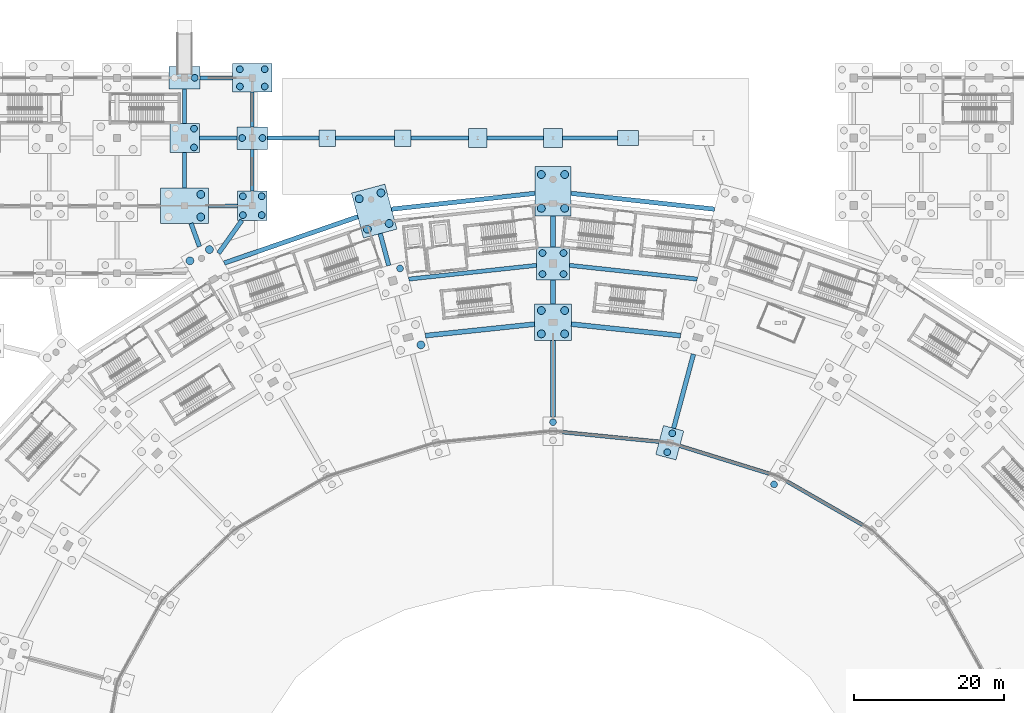
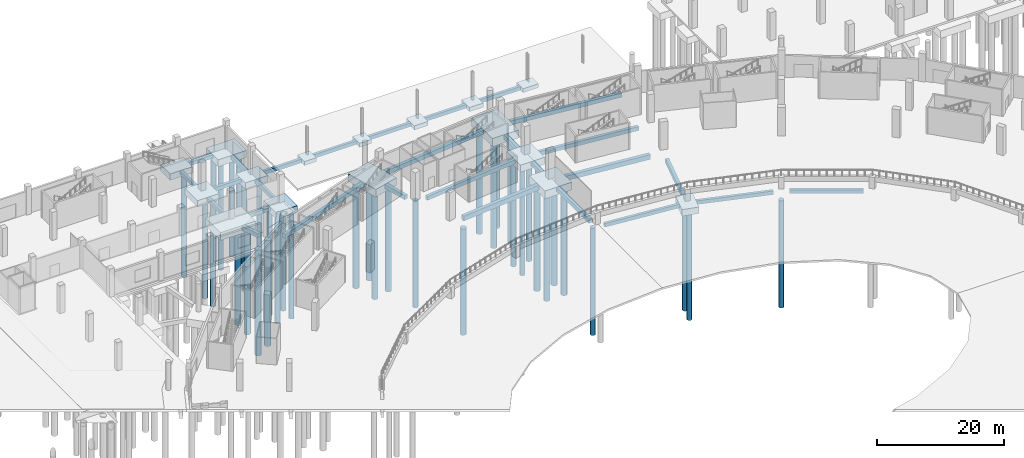
# One storey, part 12 of 103: 45 footings, 39 piles.
"""IFC4 building model written with IfcOpenShell, lengths in metres."""

from ifc_helpers import new_model, si_unit, direction, frame, origin, origin_2d, place, context, subcontext, project, spatial, rectangle, circle, extrude, material, material_profile, profile_set, type_object, element, save


model = new_model("IFC4")

# Units and contexts
model_context = context("Model", 3, precision=1e-05, world=origin(), true_north=direction((0.0, 1.0)))
body_context = subcontext(model_context, "Body", "Model", "MODEL_VIEW")
ifc_project = project(units=[si_unit("LENGTHUNIT", "METRE"), si_unit("AREAUNIT", "SQUARE_METRE"), si_unit("VOLUMEUNIT", "CUBIC_METRE"), si_unit("PLANEANGLEUNIT", "RADIAN"), si_unit("MASSUNIT", "GRAM", prefix="KILO")], contexts=[model_context])

# Site, building, storey
site_placement = place(None, origin())
site = spatial("IfcSite", under=ifc_project, at=site_placement, CompositionType="ELEMENT")
building_placement = place(site_placement, origin())
building = spatial("IfcBuilding", under=site, at=building_placement, Name="Zevraka Park Crest Stadium", CompositionType="ELEMENT")
storey_placement = place(building_placement, origin())
storey = spatial("IfcBuildingStorey", under=building, at=storey_placement, Name="L00", CompositionType="ELEMENT", Elevation=0.0)

# Footings
ifc_material_1 = material(Name="Concrete C35/45", Category="concrete")
ifc_material_profile_1 = material_profile(ifc_material_1, rectangle(XDim=0.60009765625, YDim=0.800048828125, at=origin_2d()), Name="GB 800x600")
ifc_profile_set_1 = profile_set([ifc_material_profile_1], Name="Concrete C35/45")
footing_type_1 = type_object("IfcFootingType", Name="GB01", PredefinedType="FOOTING_BEAM", material=ifc_profile_set_1)
footing_1_placement = place(storey_placement, frame((128.047119140625, 137.39892578125, -0.75), z_axis=(0.258823026795, 0.965924759389, 0.0), x_axis=(-0.965924759389, 0.258823026795, 0.0)))
element("IfcFooting", 1, at=footing_1_placement, inside=storey, type_object=footing_type_1, Name="Ground Tie Beam GB01 RAD-AB-05", PredefinedType="FOOTING_BEAM", context=body_context, shape_type="SweptSolid", body=[
    extrude(rectangle(XDim=0.60009765625, YDim=0.800048828125, at=origin_2d()), origin(), (0.0, 0.0, 1.0), 10.19970703125),
])
footing_2_placement = place(storey_placement, frame((133.472900390625, 166.533935546875, -0.75), z_axis=(-0.993981559168, 0.109547524089, 0.0), x_axis=(-0.109547524089, -0.993981559168, 0.0)))
element("IfcFooting", 2, at=footing_2_placement, inside=storey, type_object=footing_type_1, Name="Ground Tie Beam GB01 CIR-DE-05", PredefinedType="FOOTING_BEAM", context=body_context, shape_type="SweptSolid", body=[
    extrude(rectangle(XDim=0.60009765625, YDim=0.800048828125, at=origin_2d()), origin(), (0.0, 0.0, 1.0), 19.1884765625),
])
footing_3_placement = place(storey_placement, frame((112.0, 138.89990234375, -0.75), z_axis=(0.0, 1.0, 0.0), x_axis=(-1.0, 0.0, 0.0)))
element("IfcFooting", 3, at=footing_3_placement, inside=storey, type_object=footing_type_1, Name="Ground Tie Beam GB01 RAD-AB-06", PredefinedType="FOOTING_BEAM", context=body_context, shape_type="SweptSolid", body=[
    extrude(rectangle(XDim=0.60009765625, YDim=0.800048828125, at=origin_2d()), origin(), (0.0, 0.0, 1.0), 10.150146484375),
])
footing_4_placement = place(storey_placement, frame((112.0, 153.949951171875, -0.75), z_axis=(0.0, 1.0, 0.0), x_axis=(-1.0, 0.0, 0.0)))
element("IfcFooting", 4, at=footing_4_placement, inside=storey, type_object=footing_type_1, Name="Ground Tie Beam GB01 RAD-BC-06", PredefinedType="FOOTING_BEAM", context=body_context, shape_type="SweptSolid", body=[
    extrude(rectangle(XDim=0.60009765625, YDim=0.800048828125, at=origin_2d()), origin(), (0.0, 0.0, 1.0), 3.150146484375),
])
footing_5_placement = place(storey_placement, frame((112.0, 161.5, -0.75), z_axis=(0.0, 1.0, 0.0), x_axis=(-1.0, 0.0, 0.0)))
element("IfcFooting", 5, at=footing_5_placement, inside=storey, type_object=footing_type_1, Name="Ground Tie Beam GB01 RAD-CDE-06", PredefinedType="FOOTING_BEAM", context=body_context, shape_type="SweptSolid", body=[
    extrude(rectangle(XDim=0.60009765625, YDim=0.800048828125, at=origin_2d()), origin(), (0.0, 0.0, 1.0), 4.10009765625),
])
footing_6_placement = place(storey_placement, frame((109.60009765625, 168.635986328125, -0.75), z_axis=(-0.993981559168, -0.109547524089, 0.0), x_axis=(0.109547524089, -0.993981559168, 0.0)))
element("IfcFooting", 6, at=footing_6_placement, inside=storey, type_object=footing_type_1, Name="Ground Tie Beam GB01 CIR-DE-06", PredefinedType="FOOTING_BEAM", context=body_context, shape_type="SweptSolid", body=[
    extrude(rectangle(XDim=0.60009765625, YDim=0.800048828125, at=origin_2d()), origin(), (0.0, 0.0, 1.0), 19.1884765625),
])
footing_7_placement = place(storey_placement, frame((90.155029296875, 159.034912109375, -0.75), z_axis=(-0.258639929506, 0.96597380237, 0.0), x_axis=(-0.96597380237, -0.258639929506, 0.0)))
element("IfcFooting", 7, at=footing_7_placement, inside=storey, type_object=footing_type_1, Name="Ground Tie Beam GB01 RAD-CDE-07", PredefinedType="FOOTING_BEAM", context=body_context, shape_type="SweptSolid", body=[
    extrude(rectangle(XDim=0.60009765625, YDim=0.800048828125, at=origin_2d()), origin(), (0.0, 0.0, 1.0), 4.399658203125),
])
footing_8_placement = place(storey_placement, frame((86.034912109375, 165.52392578125, -0.75), z_axis=(-0.944869347259, -0.327447578417, 0.0), x_axis=(0.327447578417, -0.944869347259, 0.0)))
element("IfcFooting", 8, at=footing_8_placement, inside=storey, type_object=footing_type_1, Name="Ground Tie Beam GB01 CIR-DE-07", PredefinedType="FOOTING_BEAM", context=body_context, shape_type="SweptSolid", body=[
    extrude(rectangle(XDim=0.60009765625, YDim=0.800048828125, at=origin_2d()), origin(), (0.0, 0.0, 1.0), 18.808837890625),
])
footing_9_placement = place(storey_placement, frame((63.85302734375, 164.64990234375, -0.75), z_axis=(0.341290280374, -0.939957948273, 0.0), x_axis=(0.939957948273, 0.341290280374, 0.0)))
element("IfcFooting", 9, at=footing_9_placement, inside=storey, type_object=footing_type_1, Name="Ground Tie Beam GB01 WTIE-8-U", PredefinedType="FOOTING_BEAM", context=body_context, shape_type="SweptSolid", body=[
    extrude(rectangle(XDim=0.60009765625, YDim=0.800048828125, at=origin_2d()), origin(), (0.0, 0.0, 1.0), 3.29052734375),
])
footing_10_placement = place(storey_placement, frame((70.618896484375, 165.050048828125, -0.75), z_axis=(-0.577920286052, -0.816093219534, 0.0), x_axis=(0.816093219534, -0.577920286052, 0.0)))
element("IfcFooting", 10, at=footing_10_placement, inside=storey, type_object=footing_type_1, Name="Ground Tie Beam GB01 WTIE-9-U", PredefinedType="FOOTING_BEAM", context=body_context, shape_type="SweptSolid", body=[
    extrude(rectangle(XDim=0.60009765625, YDim=0.800048828125, at=origin_2d()), origin(), (0.0, 0.0, 1.0), 5.374267578125),
])
ifc_material_2 = material(Name="Concrete C35/45", Category="concrete")
ifc_material_profile_2 = material_profile(ifc_material_2, rectangle(XDim=0.5, YDim=0.699951171875, at=origin_2d()), Name="GB 700x500")
ifc_profile_set_2 = profile_set([ifc_material_profile_2], Name="Concrete C35/45")
footing_type_2 = type_object("IfcFootingType", Name="GB02", PredefinedType="FOOTING_BEAM", material=ifc_profile_set_2)
footing_11_placement = place(storey_placement, frame((153.1689453125, 124.54296875, -0.699951171875), z_axis=(-0.866686781199, 0.498852707014, 0.0), x_axis=(-0.498852707014, -0.866686781199, 0.0)))
element("IfcFooting", 11, at=footing_11_placement, inside=storey, type_object=footing_type_2, Name="Ground Tie Beam GB02 CIR-A-03", PredefinedType="FOOTING_BEAM", context=body_context, shape_type="SweptSolid", body=[
    extrude(rectangle(XDim=0.5, YDim=0.699951171875, at=origin_2d()), origin(), (0.0, 0.0, 1.0), 11.586669921875),
])
footing_12_placement = place(storey_placement, frame((140.72705078125, 131.365966796875, -0.699951171875), z_axis=(-0.954965260776, 0.296717627908, 0.0), x_axis=(-0.296717627908, -0.954965260776, 0.0)))
element("IfcFooting", 12, at=footing_12_placement, inside=storey, type_object=footing_type_2, Name="Ground Tie Beam GB02 CIR-A-04", PredefinedType="FOOTING_BEAM", context=body_context, shape_type="SweptSolid", body=[
    extrude(rectangle(XDim=0.5, YDim=0.699951171875, at=origin_2d()), origin(), (0.0, 0.0, 1.0), 12.41943359375),
])
footing_13_placement = place(storey_placement, frame((126.116943359375, 135.60595703125, -0.699951171875), z_axis=(-0.99515621208, 0.098306223396, 0.0), x_axis=(-0.098306223396, -0.99515621208, 0.0)))
element("IfcFooting", 13, at=footing_13_placement, inside=storey, type_object=footing_type_2, Name="Ground Tie Beam GB02 CIR-A-05", PredefinedType="FOOTING_BEAM", context=body_context, shape_type="SweptSolid", body=[
    extrude(rectangle(XDim=0.5, YDim=0.699951171875, at=origin_2d()), origin(), (0.0, 0.0, 1.0), 12.87939453125),
])
footing_14_placement = place(storey_placement, frame((66.199951171875, 167.0, -0.699951171875), z_axis=(1.0, 0.0, 0.0), x_axis=(0.0, 1.0, 0.0)))
element("IfcFooting", 14, at=footing_14_placement, inside=storey, type_object=footing_type_2, Name="Ground Tie Beam GB02 WX-8-U", PredefinedType="FOOTING_BEAM", context=body_context, shape_type="SweptSolid", body=[
    extrude(rectangle(XDim=0.5, YDim=0.699951171875, at=origin_2d()), origin(), (0.0, 0.0, 1.0), 3.85009765625),
])
footing_15_placement = place(storey_placement, frame((63.0, 169.35009765625, -0.699951171875), z_axis=(0.0, 1.0, 0.0), x_axis=(-1.0, 0.0, 0.0)))
element("IfcFooting", 15, at=footing_15_placement, inside=storey, type_object=footing_type_2, Name="Ground Tie Beam GB02 WY-8-U", PredefinedType="FOOTING_BEAM", context=body_context, shape_type="SweptSolid", body=[
    extrude(rectangle(XDim=0.5, YDim=0.699951171875, at=origin_2d()), origin(), (0.0, 0.0, 1.0), 4.699951171875),
])
footing_16_placement = place(storey_placement, frame((64.949951171875, 176.0, -0.699951171875), z_axis=(1.0, 0.0, 0.0), x_axis=(0.0, 1.0, 0.0)))
element("IfcFooting", 16, at=footing_16_placement, inside=storey, type_object=footing_type_2, Name="Ground Tie Beam GB02 WX-8-V", PredefinedType="FOOTING_BEAM", context=body_context, shape_type="SweptSolid", body=[
    extrude(rectangle(XDim=0.5, YDim=0.699951171875, at=origin_2d()), origin(), (0.0, 0.0, 1.0), 5.0),
])
footing_17_placement = place(storey_placement, frame((63.0, 177.949951171875, -0.699951171875), z_axis=(0.0, 1.0, 0.0), x_axis=(-1.0, 0.0, 0.0)))
element("IfcFooting", 17, at=footing_17_placement, inside=storey, type_object=footing_type_2, Name="Ground Tie Beam GB02 WY-8-V", PredefinedType="FOOTING_BEAM", context=body_context, shape_type="SweptSolid", body=[
    extrude(rectangle(XDim=0.5, YDim=0.699951171875, at=origin_2d()), origin(), (0.0, 0.0, 1.0), 4.550048828125),
])
footing_18_placement = place(storey_placement, frame((65.050048828125, 184.0, -0.699951171875), z_axis=(1.0, 0.0, 0.0), x_axis=(0.0, 1.0, 0.0)))
element("IfcFooting", 18, at=footing_18_placement, inside=storey, type_object=footing_type_2, Name="Ground Tie Beam GB02 WX-8-W", PredefinedType="FOOTING_BEAM", context=body_context, shape_type="SweptSolid", body=[
    extrude(rectangle(XDim=0.5, YDim=0.699951171875, at=origin_2d()), origin(), (0.0, 0.0, 1.0), 4.349853515625),
])
footing_19_placement = place(storey_placement, frame((72.0, 168.949951171875, -0.699951171875), z_axis=(0.0, 1.0, 0.0), x_axis=(-1.0, 0.0, 0.0)))
element("IfcFooting", 19, at=footing_19_placement, inside=storey, type_object=footing_type_2, Name="Ground Tie Beam GB02 WY-9-U", PredefinedType="FOOTING_BEAM", context=body_context, shape_type="SweptSolid", body=[
    extrude(rectangle(XDim=0.5, YDim=0.699951171875, at=origin_2d()), origin(), (0.0, 0.0, 1.0), 5.550048828125),
])
footing_20_placement = place(storey_placement, frame((72.0, 177.5, -0.699951171875), z_axis=(0.0, 1.0, 0.0), x_axis=(-1.0, 0.0, 0.0)))
element("IfcFooting", 20, at=footing_20_placement, inside=storey, type_object=footing_type_2, Name="Ground Tie Beam GB02 WY-9-V", PredefinedType="FOOTING_BEAM", context=body_context, shape_type="SweptSolid", body=[
    extrude(rectangle(XDim=0.5, YDim=0.699951171875, at=origin_2d()), origin(), (0.0, 0.0, 1.0), 4.60009765625),
])
footing_21_placement = place(storey_placement, frame((83.10009765625, 176.0, -0.699951171875), z_axis=(1.0, 0.0, 0.0), x_axis=(0.0, 1.0, 0.0)))
element("IfcFooting", 21, at=footing_21_placement, inside=storey, type_object=footing_type_2, Name="Ground Tie Beam GB02 PADN-1", PredefinedType="FOOTING_BEAM", context=body_context, shape_type="SweptSolid", body=[
    extrude(rectangle(XDim=0.5, YDim=0.699951171875, at=origin_2d()), origin(), (0.0, 0.0, 1.0), 7.7998046875),
])
footing_22_placement = place(storey_placement, frame((93.10009765625, 176.0, -0.699951171875), z_axis=(1.0, 0.0, 0.0), x_axis=(0.0, 1.0, 0.0)))
element("IfcFooting", 22, at=footing_22_placement, inside=storey, type_object=footing_type_2, Name="Ground Tie Beam GB02 PADN-2", PredefinedType="FOOTING_BEAM", context=body_context, shape_type="SweptSolid", body=[
    extrude(rectangle(XDim=0.5, YDim=0.699951171875, at=origin_2d()), origin(), (0.0, 0.0, 1.0), 7.64990234375),
])
footing_23_placement = place(storey_placement, frame((103.25, 176.0, -0.699951171875), z_axis=(1.0, 0.0, 0.0), x_axis=(0.0, 1.0, 0.0)))
element("IfcFooting", 23, at=footing_23_placement, inside=storey, type_object=footing_type_2, Name="Ground Tie Beam GB02 PADN-3", PredefinedType="FOOTING_BEAM", context=body_context, shape_type="SweptSolid", body=[
    extrude(rectangle(XDim=0.5, YDim=0.699951171875, at=origin_2d()), origin(), (0.0, 0.0, 1.0), 7.5),
])
footing_24_placement = place(storey_placement, frame((113.25, 176.0, -0.699951171875), z_axis=(1.0, 0.0, 0.0), x_axis=(0.0, 1.0, 0.0)))
element("IfcFooting", 24, at=footing_24_placement, inside=storey, type_object=footing_type_2, Name="Ground Tie Beam GB02 PADN-4", PredefinedType="FOOTING_BEAM", context=body_context, shape_type="SweptSolid", body=[
    extrude(rectangle(XDim=0.5, YDim=0.699951171875, at=origin_2d()), origin(), (0.0, 0.0, 1.0), 7.35009765625),
])
footing_25_placement = place(storey_placement, frame((74.050048828125, 176.0, -0.699951171875), z_axis=(1.0, 0.0, 0.0), x_axis=(0.0, 1.0, 0.0)))
element("IfcFooting", 25, at=footing_25_placement, inside=storey, type_object=footing_type_2, Name="Ground Tie Beam GB02 PADN-W", PredefinedType="FOOTING_BEAM", context=body_context, shape_type="SweptSolid", body=[
    extrude(rectangle(XDim=0.5, YDim=0.699951171875, at=origin_2d()), origin(), (0.0, 0.0, 1.0), 6.849853515625),
])
ifc_material_3 = material(Name="Concrete C35/45", Category="concrete")
ifc_material_profile_3 = material_profile(ifc_material_3, rectangle(XDim=0.64990234375, YDim=0.89990234375, at=origin_2d()), Name="GB 900x650")
ifc_profile_set_3 = profile_set([ifc_material_profile_3], Name="Concrete C35/45")
footing_type_3 = type_object("IfcFootingType", Name="GB03", PredefinedType="FOOTING_BEAM", material=ifc_profile_set_3)
for number, where, z_axis, x_axis, name in (
    (26, (128.966064453125, 149.716064453125, -0.800048828125), (-0.994520656605, 0.104540248642, 0.0), (-0.104540248642, -0.994520656605, 0.0), "Ground Tie Beam GB03 CIR-B-05"),
    (27, (109.550048828125, 151.241943359375, -0.800048828125), (-0.994520656605, -0.104540248642, 0.0), (0.104540248642, -0.994520656605, 0.0), "Ground Tie Beam GB03 CIR-B-06"),
):
    element("IfcFooting", number, at=place(storey_placement, frame(where, z_axis=z_axis, x_axis=x_axis)), inside=storey, type_object=footing_type_3, Name=name, PredefinedType="FOOTING_BEAM", context=body_context, shape_type="SweptSolid", body=[
        extrude(rectangle(XDim=0.64990234375, YDim=0.89990234375, at=origin_2d()), origin(), (0.0, 0.0, 1.0), 14.59619140625),
    ])
ifc_material_4 = material(Name="Concrete C35/45", Category="concrete")
ifc_material_profile_4 = material_profile(ifc_material_4, rectangle(XDim=0.550048828125, YDim=0.75, at=origin_2d()), Name="GB 750x550")
ifc_profile_set_4 = profile_set([ifc_material_profile_4], Name="Concrete C35/45")
footing_type_4 = type_object("IfcFootingType", Name="GB04", PredefinedType="FOOTING_BEAM", material=ifc_profile_set_4)
for number, where, z_axis, x_axis, name in (
    (28, (131.18798828125, 157.23388671875, -0.72509765625), (-0.994253503641, 0.107051251732, 0.0), (-0.107051251732, -0.994253503641, 0.0), "Ground Tie Beam GB04 CIR-C-05"),
    (29, (109.800048828125, 159.06298828125, -0.72509765625), (-0.994253503641, -0.107051251732, 0.0), (0.107051251732, -0.994253503641, 0.0), "Ground Tie Beam GB04 CIR-C-06"),
):
    element("IfcFooting", number, at=place(storey_placement, frame(where, z_axis=z_axis, x_axis=x_axis)), inside=storey, type_object=footing_type_4, Name=name, PredefinedType="FOOTING_BEAM", context=body_context, shape_type="SweptSolid", body=[
        extrude(rectangle(XDim=0.550048828125, YDim=0.75, at=origin_2d()), origin(), (0.0, 0.0, 1.0), 17.086181640625),
    ])
ifc_material_5 = material(Name="Concrete C35/45", Category="concrete")
footing_type_5 = type_object("IfcFootingType", Name="PC02", PredefinedType="PILE_CAP", material=ifc_material_5)
footing_26_placement = place(storey_placement, frame((127.529052734375, 135.467041015625, -1.60009765625), z_axis=(0.0, 0.0, 1.0), x_axis=(0.258819045103, 0.965925826289, 0.0)))
element("IfcFooting", 30, at=footing_26_placement, inside=storey, type_object=footing_type_5, Name="Foundation PC02 A-05", PredefinedType="PILE_CAP", context=body_context, shape_type="SweptSolid", body=[
    extrude(rectangle(XDim=4.0, YDim=2.800048828125, at=origin_2d()), origin(), (0.0, 0.0, 1.0), 1.25),
])
ifc_material_6 = material(Name="Concrete C35/45", Category="concrete")
footing_type_6 = type_object("IfcFootingType", Name="PC04", PredefinedType="PILE_CAP", material=ifc_material_6)
footing_27_placement = place(storey_placement, frame((112.0, 151.5, -1.85009765625), z_axis=(0.0, 0.0, 1.0), x_axis=(0.0, 1.0, 0.0)))
element("IfcFooting", 31, at=footing_27_placement, inside=storey, type_object=footing_type_6, Name="Foundation PC04 B-06", PredefinedType="PILE_CAP", context=body_context, shape_type="SweptSolid", body=[
    extrude(rectangle(XDim=4.89990234375, YDim=4.89990234375, at=origin_2d()), origin(), (0.0, 0.0, 1.0), 1.5),
])
ifc_material_7 = material(Name="Concrete C35/45", Category="concrete")
footing_type_7 = type_object("IfcFootingType", Name="PC06", PredefinedType="PILE_CAP", material=ifc_material_7)
footing_28_placement = place(storey_placement, frame((112.0, 159.300048828125, -1.699951171875), z_axis=(0.0, 0.0, 1.0), x_axis=(0.0, 1.0, 0.0)))
element("IfcFooting", 32, at=footing_28_placement, inside=storey, type_object=footing_type_7, Name="Foundation PC06 C-06", PredefinedType="PILE_CAP", context=body_context, shape_type="SweptSolid", body=[
    extrude(rectangle(XDim=4.39990234375, YDim=4.39990234375, at=origin_2d()), origin(), (0.0, 0.0, 1.0), 1.35009765625),
])
ifc_material_8 = material(Name="Concrete C35/45", Category="concrete")
footing_type_8 = type_object("IfcFootingType", Name="PC07", PredefinedType="PILE_CAP", material=ifc_material_8)
footing_29_placement = place(storey_placement, frame((88.214111328125, 166.279052734375, -1.7998046875), z_axis=(0.0, 0.0, 1.0), x_axis=(-0.258819045103, 0.965925826289, 0.0)))
element("IfcFooting", 33, at=footing_29_placement, inside=storey, type_object=footing_type_8, Name="Foundation PC07 DE-07", PredefinedType="PILE_CAP", context=body_context, shape_type="SweptSolid", body=[
    extrude(rectangle(XDim=6.199951171875, YDim=4.60009765625, at=origin_2d()), origin(), (0.0, 0.0, 1.0), 1.449951171875),
])
ifc_material_9 = material(Name="Concrete C35/45", Category="concrete")
footing_type_9 = type_object("IfcFootingType", Name="PC08", PredefinedType="PILE_CAP", material=ifc_material_9)
footing_30_placement = place(storey_placement, frame((112.0, 168.89990234375, -1.89990234375), z_axis=(0.0, 0.0, 1.0), x_axis=(0.0, 1.0, 0.0)))
element("IfcFooting", 34, at=footing_30_placement, inside=storey, type_object=footing_type_9, Name="Foundation PC08 DE-06", PredefinedType="PILE_CAP", context=body_context, shape_type="SweptSolid", body=[
    extrude(rectangle(XDim=6.60009765625, YDim=4.800048828125, at=origin_2d()), origin(), (0.0, 0.0, 1.0), 1.550048828125),
])
ifc_material_10 = material(Name="Concrete C35/45", Category="concrete")
footing_type_10 = type_object("IfcFootingType", Name="PC09", PredefinedType="PILE_CAP", material=ifc_material_10)
for number, where, z_axis, x_axis, name in (
    (35, (63.0, 176.0, -1.60009765625), (0.0, 0.0, 1.0), (1.0, 0.0, 0.0), "Foundation PC09 W-8-V"),
    (36, (72.0, 167.0, -1.60009765625), (0.0, 0.0, 1.0), (1.0, 0.0, 0.0), "Foundation PC09 W-9-U"),
):
    element("IfcFooting", number, at=place(storey_placement, frame(where, z_axis=z_axis, x_axis=x_axis)), inside=storey, type_object=footing_type_10, Name=name, PredefinedType="PILE_CAP", context=body_context, shape_type="SweptSolid", body=[
        extrude(rectangle(XDim=3.89990234375, YDim=3.89990234375, at=origin_2d()), origin(), (0.0, 0.0, 1.0), 1.25),
    ])
ifc_material_11 = material(Name="Concrete C35/45", Category="concrete")
footing_type_11 = type_object("IfcFootingType", Name="PC10", PredefinedType="PILE_CAP", material=ifc_material_11)
for number, where, z_axis, x_axis, name in (
    (37, (63.0, 184.0, -1.5498046875), (0.0, 0.0, 1.0), (1.0, 0.0, 0.0), "Foundation PC10 W-8-W"),
    (38, (72.0, 176.0, -1.5498046875), (0.0, 0.0, 1.0), (1.0, 0.0, 0.0), "Foundation PC10 W-9-V"),
):
    element("IfcFooting", number, at=place(storey_placement, frame(where, z_axis=z_axis, x_axis=x_axis)), inside=storey, type_object=footing_type_11, Name=name, PredefinedType="PILE_CAP", context=body_context, shape_type="SweptSolid", body=[
        extrude(rectangle(XDim=4.10009765625, YDim=3.0, at=origin_2d()), origin(), (0.0, 0.0, 1.0), 1.199951171875),
    ])
ifc_material_12 = material(Name="Concrete C35/45", Category="concrete")
footing_type_12 = type_object("IfcFootingType", Name="PC11", PredefinedType="PILE_CAP", material=ifc_material_12)
footing_31_placement = place(storey_placement, frame((72.0, 184.0, -1.699951171875), z_axis=(0.0, 0.0, 1.0), x_axis=(1.0, 0.0, 0.0)))
element("IfcFooting", 39, at=footing_31_placement, inside=storey, type_object=footing_type_12, Name="Foundation PC11 W-9-W", PredefinedType="PILE_CAP", context=body_context, shape_type="SweptSolid", body=[
    extrude(rectangle(XDim=5.199951171875, YDim=3.800048828125, at=origin_2d()), origin(), (0.0, 0.0, 1.0), 1.35009765625),
])
ifc_material_13 = material(Name="Concrete C35/45", Category="concrete")
footing_type_13 = type_object("IfcFootingType", Name="PC24", PredefinedType="PILE_CAP", material=ifc_material_13)
footing_32_placement = place(storey_placement, frame((63.0, 167.0, -1.8701171875), z_axis=(0.0, 0.0, 1.0), x_axis=(1.0, 0.0, 0.0)))
element("IfcFooting", 40, at=footing_32_placement, inside=storey, type_object=footing_type_13, Name="Foundation PC24 W-8-U", PredefinedType="PILE_CAP", context=body_context, shape_type="SweptSolid", body=[
    extrude(rectangle(XDim=6.39990234375, YDim=4.699951171875, at=origin_2d()), origin(), (0.0, 0.0, 1.0), 1.52001953125),
])
ifc_material_14 = material(Name="Concrete C35/45", Category="concrete")
footing_type_14 = type_object("IfcFootingType", Name="PF01", PredefinedType="PAD_FOOTING", material=ifc_material_14)
for number, where, z_axis, x_axis, name in (
    (41, (82.0, 176.0, -1.10009765625), (0.0, 0.0, 1.0), (1.0, 0.0, 0.0), "Foundation PF01 PAD-N1"),
    (42, (92.0, 176.0, -1.10009765625), (0.0, 0.0, 1.0), (1.0, 0.0, 0.0), "Foundation PF01 PAD-N2"),
):
    element("IfcFooting", number, at=place(storey_placement, frame(where, z_axis=z_axis, x_axis=x_axis)), inside=storey, type_object=footing_type_14, Name=name, PredefinedType="PAD_FOOTING", context=body_context, shape_type="SweptSolid", body=[
        extrude(rectangle(XDim=2.199951171875, YDim=2.199951171875, at=origin_2d()), origin(), (0.0, 0.0, 1.0), 0.75),
    ])
ifc_material_15 = material(Name="Concrete C35/45", Category="concrete")
footing_type_15 = type_object("IfcFootingType", Name="PF02", PredefinedType="PAD_FOOTING", material=ifc_material_15)
for number, where, z_axis, x_axis, name in (
    (43, (102.0, 176.0, -1.14990234375), (0.0, 0.0, 1.0), (1.0, 0.0, 0.0), "Foundation PF02 PAD-N3"),
    (44, (112.0, 176.0, -1.14990234375), (0.0, 0.0, 1.0), (1.0, 0.0, 0.0), "Foundation PF02 PAD-N4"),
):
    element("IfcFooting", number, at=place(storey_placement, frame(where, z_axis=z_axis, x_axis=x_axis)), inside=storey, type_object=footing_type_15, Name=name, PredefinedType="PAD_FOOTING", context=body_context, shape_type="SweptSolid", body=[
        extrude(rectangle(XDim=2.5, YDim=2.5, at=origin_2d()), origin(), (0.0, 0.0, 1.0), 0.800048828125),
    ])
ifc_material_16 = material(Name="Concrete C35/45", Category="concrete")
footing_type_16 = type_object("IfcFootingType", Name="PF03", PredefinedType="PAD_FOOTING", material=ifc_material_16)
footing_33_placement = place(storey_placement, frame((122.0, 176.0, -1.10009765625), z_axis=(0.0, 0.0, 1.0), x_axis=(1.0, 0.0, 0.0)))
element("IfcFooting", 45, at=footing_33_placement, inside=storey, type_object=footing_type_16, Name="Foundation PF03 PAD-N5", PredefinedType="PAD_FOOTING", context=body_context, shape_type="SweptSolid", body=[
    extrude(rectangle(XDim=2.800048828125, YDim=2.0, at=origin_2d()), origin(), (0.0, 0.0, 1.0), 0.75),
])

# Piles
ifc_material_17 = material(Name="Concrete C35/45", Category="concrete")
ifc_material_profile_5 = material_profile(ifc_material_17, circle(Radius=0.449951171875, at=origin_2d()), Name="PILE D900")
ifc_profile_set_5 = profile_set([ifc_material_profile_5], Name="Concrete C35/45")
pile_type_1 = type_object("IfcPileType", Name="PL01", PredefinedType="BORED", material=ifc_profile_set_5)
pile_1_placement = place(storey_placement, frame((141.39990234375, 129.931884765625, -1.449951171875), z_axis=(0.0, 0.0, -1.0), x_axis=(1.0, 0.0, 0.0)))
element("IfcPile", 46, at=pile_1_placement, inside=storey, type_object=pile_type_1, Name="Bored Pile PL01 A-04-1", PredefinedType="BORED", context=body_context, shape_type="SweptSolid", body=[
    extrude(circle(Radius=0.449951171875, at=origin_2d()), origin(), (0.0, 0.0, 1.0), 20.550048828125),
])
for number, where, z_axis, x_axis, name in (
    (47, (127.193115234375, 134.2109375, -1.5), (0.0, 0.0, -1.0), (1.0, 0.0, 0.0), "Bored Pile PL01 A-05-1"),
    (48, (127.864990234375, 136.722900390625, -1.5), (0.0, 0.0, -1.0), (1.0, 0.0, 0.0), "Bored Pile PL01 A-05-2"),
):
    element("IfcPile", number, at=place(storey_placement, frame(where, z_axis=z_axis, x_axis=x_axis)), inside=storey, type_object=pile_type_1, Name=name, PredefinedType="BORED", context=body_context, shape_type="SweptSolid", body=[
        extrude(circle(Radius=0.449951171875, at=origin_2d()), origin(), (0.0, 0.0, 1.0), 20.5),
    ])
pile_2_placement = place(storey_placement, frame((112.0, 138.199951171875, -1.449951171875), z_axis=(0.0, 0.0, -1.0), x_axis=(1.0, 0.0, 0.0)))
element("IfcPile", 49, at=pile_2_placement, inside=storey, type_object=pile_type_1, Name="Bored Pile PL01 A-06-2", PredefinedType="BORED", context=body_context, shape_type="SweptSolid", body=[
    extrude(circle(Radius=0.449951171875, at=origin_2d()), origin(), (0.0, 0.0, 1.0), 20.550048828125),
])
for number, where, z_axis, x_axis, name in (
    (50, (113.39990234375, 157.89990234375, -1.60009765625), (0.0, 0.0, -1.0), (1.0, 0.0, 0.0), "Bored Pile PL01 C-06-1"),
    (51, (113.39990234375, 160.699951171875, -1.60009765625), (0.0, 0.0, -1.0), (1.0, 0.0, 0.0), "Bored Pile PL01 C-06-2"),
    (52, (110.60009765625, 157.89990234375, -1.60009765625), (0.0, 0.0, -1.0), (1.0, 0.0, 0.0), "Bored Pile PL01 C-06-3"),
    (53, (110.60009765625, 160.699951171875, -1.60009765625), (0.0, 0.0, -1.0), (1.0, 0.0, 0.0), "Bored Pile PL01 C-06-4"),
):
    element("IfcPile", number, at=place(storey_placement, frame(where, z_axis=z_axis, x_axis=x_axis)), inside=storey, type_object=pile_type_1, Name=name, PredefinedType="BORED", context=body_context, shape_type="SweptSolid", body=[
        extrude(circle(Radius=0.449951171875, at=origin_2d()), origin(), (0.0, 0.0, 1.0), 20.39990234375),
    ])
pile_3_placement = place(storey_placement, frame((91.654052734375, 158.659912109375, -1.550048828125), z_axis=(0.0, 0.0, -1.0), x_axis=(1.0, 0.0, 0.0)))
element("IfcPile", 54, at=pile_3_placement, inside=storey, type_object=pile_type_1, Name="Bored Pile PL01 C-07-2", PredefinedType="BORED", context=body_context, shape_type="SweptSolid", body=[
    extrude(circle(Radius=0.449951171875, at=origin_2d()), origin(), (0.0, 0.0, 1.0), 20.449951171875),
])
for number, where, z_axis, x_axis, name in (
    (55, (64.25, 174.75, -1.5), (0.0, 0.0, -1.0), (1.0, 0.0, 0.0), "Bored Pile PL01 W-8-V-2"),
    (56, (64.25, 177.25, -1.5), (0.0, 0.0, -1.0), (1.0, 0.0, 0.0), "Bored Pile PL01 W-8-V-4"),
):
    element("IfcPile", number, at=place(storey_placement, frame(where, z_axis=z_axis, x_axis=x_axis)), inside=storey, type_object=pile_type_1, Name=name, PredefinedType="BORED", context=body_context, shape_type="SweptSolid", body=[
        extrude(circle(Radius=0.449951171875, at=origin_2d()), origin(), (0.0, 0.0, 1.0), 20.5),
    ])
pile_4_placement = place(storey_placement, frame((64.35009765625, 184.0, -1.449951171875), z_axis=(0.0, 0.0, -1.0), x_axis=(1.0, 0.0, 0.0)))
element("IfcPile", 57, at=pile_4_placement, inside=storey, type_object=pile_type_1, Name="Bored Pile PL01 W-8-W-2", PredefinedType="BORED", context=body_context, shape_type="SweptSolid", body=[
    extrude(circle(Radius=0.449951171875, at=origin_2d()), origin(), (0.0, 0.0, 1.0), 20.550048828125),
])
for number, where, z_axis, x_axis, name in (
    (58, (70.75, 165.75, -1.5), (0.0, 0.0, -1.0), (1.0, 0.0, 0.0), "Bored Pile PL01 W-9-U-1"),
    (59, (73.25, 165.75, -1.5), (0.0, 0.0, -1.0), (1.0, 0.0, 0.0), "Bored Pile PL01 W-9-U-2"),
    (60, (70.75, 168.25, -1.5), (0.0, 0.0, -1.0), (1.0, 0.0, 0.0), "Bored Pile PL01 W-9-U-3"),
    (61, (73.25, 168.25, -1.5), (0.0, 0.0, -1.0), (1.0, 0.0, 0.0), "Bored Pile PL01 W-9-U-4"),
):
    element("IfcPile", number, at=place(storey_placement, frame(where, z_axis=z_axis, x_axis=x_axis)), inside=storey, type_object=pile_type_1, Name=name, PredefinedType="BORED", context=body_context, shape_type="SweptSolid", body=[
        extrude(circle(Radius=0.449951171875, at=origin_2d()), origin(), (0.0, 0.0, 1.0), 20.5),
    ])
for number, where, z_axis, x_axis, name in (
    (62, (70.64990234375, 176.0, -1.449951171875), (0.0, 0.0, -1.0), (1.0, 0.0, 0.0), "Bored Pile PL01 W-9-V-1"),
    (63, (73.35009765625, 176.0, -1.449951171875), (0.0, 0.0, -1.0), (1.0, 0.0, 0.0), "Bored Pile PL01 W-9-V-2"),
):
    element("IfcPile", number, at=place(storey_placement, frame(where, z_axis=z_axis, x_axis=x_axis)), inside=storey, type_object=pile_type_1, Name=name, PredefinedType="BORED", context=body_context, shape_type="SweptSolid", body=[
        extrude(circle(Radius=0.449951171875, at=origin_2d()), origin(), (0.0, 0.0, 1.0), 20.550048828125),
    ])
for number, where, z_axis, x_axis, name in (
    (64, (70.35009765625, 182.85009765625, -1.60009765625), (0.0, 0.0, -1.0), (1.0, 0.0, 0.0), "Bored Pile PL01 W-9-W-1"),
    (65, (73.64990234375, 182.85009765625, -1.60009765625), (0.0, 0.0, -1.0), (1.0, 0.0, 0.0), "Bored Pile PL01 W-9-W-2"),
    (66, (70.35009765625, 185.14990234375, -1.60009765625), (0.0, 0.0, -1.0), (1.0, 0.0, 0.0), "Bored Pile PL01 W-9-W-3"),
    (67, (73.64990234375, 185.14990234375, -1.60009765625), (0.0, 0.0, -1.0), (1.0, 0.0, 0.0), "Bored Pile PL01 W-9-W-4"),
):
    element("IfcPile", number, at=place(storey_placement, frame(where, z_axis=z_axis, x_axis=x_axis)), inside=storey, type_object=pile_type_1, Name=name, PredefinedType="BORED", context=body_context, shape_type="SweptSolid", body=[
        extrude(circle(Radius=0.449951171875, at=origin_2d()), origin(), (0.0, 0.0, 1.0), 20.39990234375),
    ])
ifc_material_18 = material(Name="Concrete C35/45", Category="concrete")
ifc_material_profile_6 = material_profile(ifc_material_18, circle(Radius=0.52490234375, at=origin_2d()), Name="PILE D1050")
ifc_profile_set_6 = profile_set([ifc_material_profile_6], Name="Concrete C35/45")
pile_type_2 = type_object("IfcPileType", Name="PL02", PredefinedType="BORED", material=ifc_profile_set_6)
for number, where, z_axis, x_axis, name in (
    (68, (113.550048828125, 149.949951171875, -1.75), (0.0, 0.0, -1.0), (1.0, 0.0, 0.0), "Bored Pile PL02 B-06-1"),
    (69, (113.550048828125, 153.050048828125, -1.75), (0.0, 0.0, -1.0), (1.0, 0.0, 0.0), "Bored Pile PL02 B-06-2"),
    (70, (110.449951171875, 149.949951171875, -1.75), (0.0, 0.0, -1.0), (1.0, 0.0, 0.0), "Bored Pile PL02 B-06-3"),
    (71, (110.449951171875, 153.050048828125, -1.75), (0.0, 0.0, -1.0), (1.0, 0.0, 0.0), "Bored Pile PL02 B-06-4"),
):
    element("IfcPile", number, at=place(storey_placement, frame(where, z_axis=z_axis, x_axis=x_axis)), inside=storey, type_object=pile_type_2, Name=name, PredefinedType="BORED", context=body_context, shape_type="SweptSolid", body=[
        extrude(circle(Radius=0.52490234375, at=origin_2d()), origin(), (0.0, 0.0, 1.0), 20.25),
    ])
for number, where, z_axis, x_axis, name in (
    (72, (113.550048828125, 166.64990234375, -1.800048828125), (0.0, 0.0, -1.0), (1.0, 0.0, 0.0), "Bored Pile PL02 DE-06-1"),
    (73, (113.550048828125, 171.14990234375, -1.800048828125), (0.0, 0.0, -1.0), (1.0, 0.0, 0.0), "Bored Pile PL02 DE-06-2"),
    (74, (110.449951171875, 166.64990234375, -1.800048828125), (0.0, 0.0, -1.0), (1.0, 0.0, 0.0), "Bored Pile PL02 DE-06-3"),
    (75, (110.449951171875, 171.14990234375, -1.800048828125), (0.0, 0.0, -1.0), (1.0, 0.0, 0.0), "Bored Pile PL02 DE-06-4"),
):
    element("IfcPile", number, at=place(storey_placement, frame(where, z_axis=z_axis, x_axis=x_axis)), inside=storey, type_object=pile_type_2, Name=name, PredefinedType="BORED", context=body_context, shape_type="SweptSolid", body=[
        extrude(circle(Radius=0.52490234375, at=origin_2d()), origin(), (0.0, 0.0, 1.0), 20.199951171875),
    ])
pile_5_placement = place(storey_placement, frame((94.43310546875, 148.48291015625, -1.64990234375), z_axis=(0.0, 0.0, -1.0), x_axis=(1.0, 0.0, 0.0)))
element("IfcPile", 76, at=pile_5_placement, inside=storey, type_object=pile_type_2, Name="Bored Pile PL02 B-07-1", PredefinedType="BORED", context=body_context, shape_type="SweptSolid", body=[
    extrude(circle(Radius=0.52490234375, at=origin_2d()), origin(), (0.0, 0.0, 1.0), 20.35009765625),
])
for number, where, z_axis, x_axis, name in (
    (77, (90.2060546875, 164.638916015625, -1.699951171875), (0.0, 0.0, -1.0), (1.0, 0.0, 0.0), "Bored Pile PL02 DE-07-1"),
    (78, (89.118896484375, 168.696044921875, -1.699951171875), (0.0, 0.0, -1.0), (1.0, 0.0, 0.0), "Bored Pile PL02 DE-07-2"),
    (79, (87.30908203125, 163.862060546875, -1.699951171875), (0.0, 0.0, -1.0), (1.0, 0.0, 0.0), "Bored Pile PL02 DE-07-3"),
    (80, (86.221923828125, 167.9189453125, -1.699951171875), (0.0, 0.0, -1.0), (1.0, 0.0, 0.0), "Bored Pile PL02 DE-07-4"),
    (81, (66.299072265625, 161.1669921875, -1.699951171875), (0.0, 0.0, -1.0), (1.0, 0.0, 0.0), "Bored Pile PL02 DE-08-2"),
    (82, (63.700927734375, 159.6669921875, -1.699951171875), (0.0, 0.0, -1.0), (1.0, 0.0, 0.0), "Bored Pile PL02 DE-08-4"),
):
    element("IfcPile", number, at=place(storey_placement, frame(where, z_axis=z_axis, x_axis=x_axis)), inside=storey, type_object=pile_type_2, Name=name, PredefinedType="BORED", context=body_context, shape_type="SweptSolid", body=[
        extrude(circle(Radius=0.52490234375, at=origin_2d()), origin(), (0.0, 0.0, 1.0), 20.300048828125),
    ])
for number, where, z_axis, x_axis, name in (
    (83, (65.14990234375, 165.5, -1.77001953125), (0.0, 0.0, -1.0), (1.0, 0.0, 0.0), "Bored Pile PL02 W-8-U-2"),
    (84, (65.14990234375, 168.5, -1.77001953125), (0.0, 0.0, -1.0), (1.0, 0.0, 0.0), "Bored Pile PL02 W-8-U-4"),
):
    element("IfcPile", number, at=place(storey_placement, frame(where, z_axis=z_axis, x_axis=x_axis)), inside=storey, type_object=pile_type_2, Name=name, PredefinedType="BORED", context=body_context, shape_type="SweptSolid", body=[
        extrude(circle(Radius=0.52490234375, at=origin_2d()), origin(), (0.0, 0.0, 1.0), 20.22998046875),
    ])

save(model, "model.ifc")
